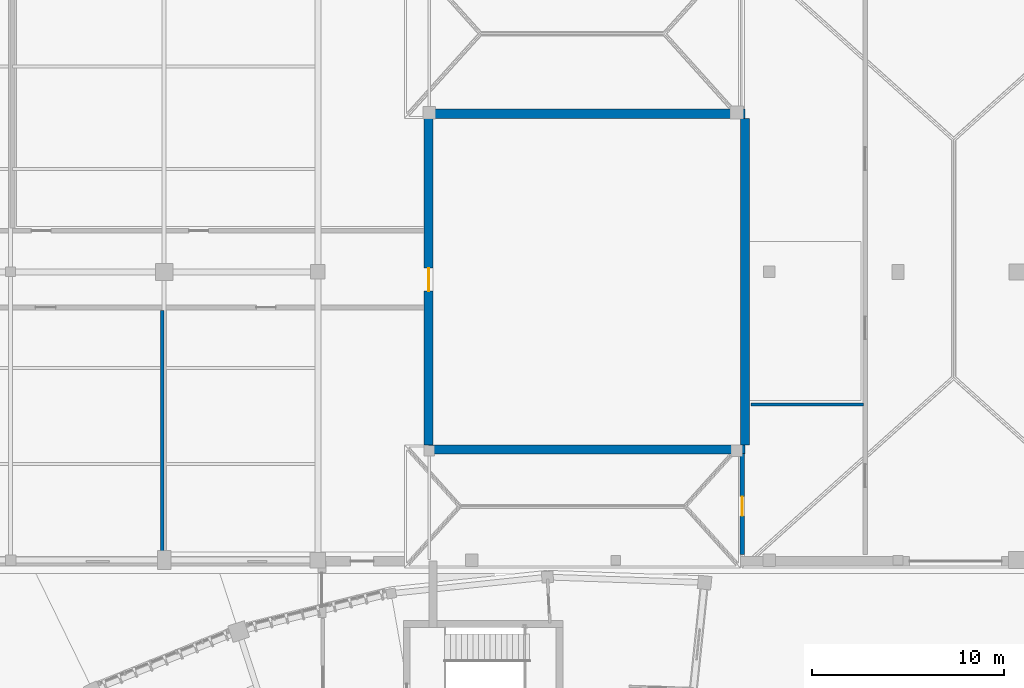
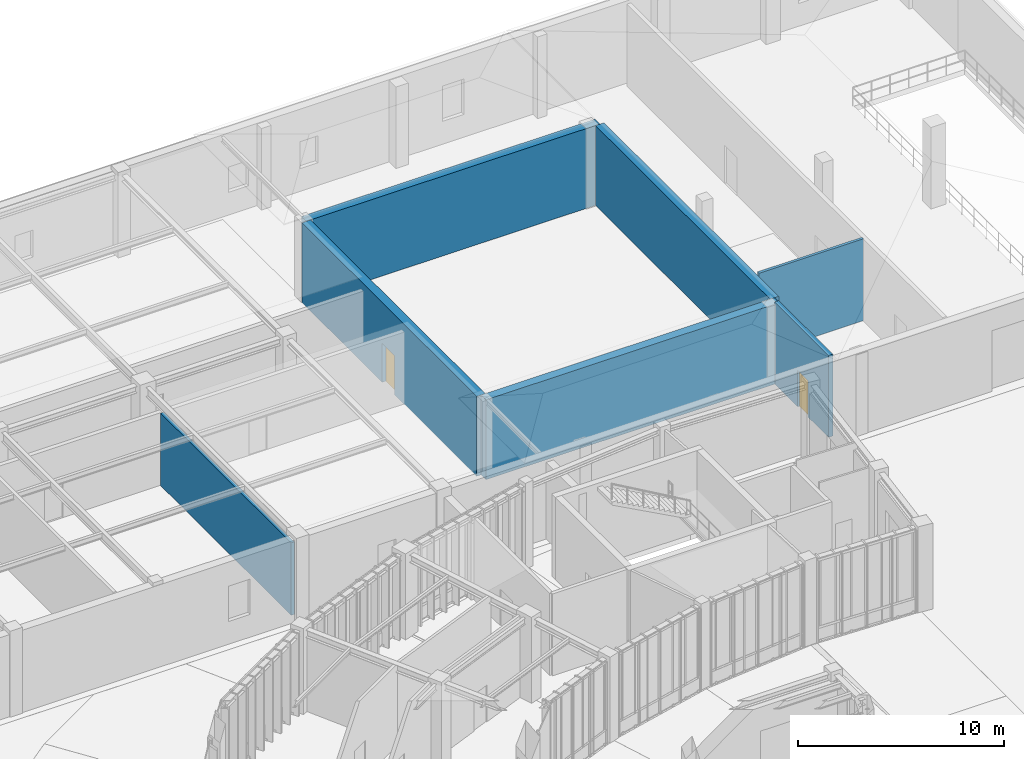
# One storey, part 46 of 68: 7 walls, 2 doors, 2 openings.
"""IFC4 building model written with IfcOpenShell, lengths in metres."""

import ifcopenshell
import ifcopenshell.guid

model = None  # the IFC model being written
_history = None  # IfcOwnerHistory: only IFC2X3 demands one
_inside = {}  # id of a spatial element -> (the spatial element, [elements in it])
_under = {}  # id of a project, library or spatial element -> (it, [spatial elements below it])
_declared = {}  # id of a project -> (the project, [libraries it declares])
_typed = {}  # id of a type object -> (the type object, [elements of that type])
_made_of = {}  # id of a material, layer set ... -> (it, [elements and type objects made of it])


def new_model(schema):
    """Start an empty IFC model of exactly this schema.

    Asked for "IFC4X3", IfcOpenShell would pick the latest addendum, in which some entities
    have other attributes; the version numbers below select the first issue.
    IFC2X3 requires an IfcOwnerHistory on every rooted entity: one is made here for all.
    """
    global model, _history
    if schema == "IFC4X3":
        model = ifcopenshell.file(schema_version=(4, 3, 0, 0))
    else:
        model = ifcopenshell.file(schema=schema)
    _inside.clear()
    _under.clear()
    _declared.clear()
    _typed.clear()
    _made_of.clear()
    _history = None
    if model.schema == "IFC2X3":
        org = make("IfcOrganization", Name="unknown")
        user = make(
            "IfcPersonAndOrganization",
            ThePerson=make("IfcPerson", FamilyName="unknown"),
            TheOrganization=org,
        )
        app = make(
            "IfcApplication",
            ApplicationDeveloper=org,
            Version="unknown",
            ApplicationFullName="unknown",
            ApplicationIdentifier="unknown",
        )
        _history = make(
            "IfcOwnerHistory",
            OwningUser=user,
            OwningApplication=app,
            ChangeAction="ADDED",
            CreationDate=0,
        )
    return model


def make(cls, **values):
    """One entity of the class cls with the attributes given. An attribute that is None is left unset."""
    return model.create_entity(
        cls, **{name: value for name, value in values.items() if value is not None}
    )


def rooted(cls, **values):
    """An entity with a GlobalId (a new one), such as an element, a storey or a relation."""
    return make(cls, GlobalId=ifcopenshell.guid.new(), OwnerHistory=_history, **values)


def si_unit(unit_type, name, prefix=None):
    """IfcSIUnit, for example si_unit("LENGTHUNIT", "METRE", prefix="MILLI")."""
    return make("IfcSIUnit", UnitType=unit_type, Prefix=prefix, Name=name)


def assignment(units):
    """IfcUnitAssignment: the units of a project."""
    return None if units is None else make("IfcUnitAssignment", Units=units)


def point(xyz):
    """IfcCartesianPoint."""
    return None if xyz is None else make("IfcCartesianPoint", Coordinates=xyz)


def direction(xyz):
    """IfcDirection."""
    return None if xyz is None else make("IfcDirection", DirectionRatios=xyz)


def frame(location, z_axis=None, x_axis=None):
    """IfcAxis2Placement3D, a coordinate frame: its origin and axes. An axis left out is left unset."""
    return make(
        "IfcAxis2Placement3D",
        Location=point(location),
        Axis=direction(z_axis),
        RefDirection=direction(x_axis),
    )


def frame_2d(location, x_axis=None):
    """IfcAxis2Placement2D, a coordinate frame in the plane: its origin and x axis."""
    return make(
        "IfcAxis2Placement2D", Location=point(location), RefDirection=direction(x_axis)
    )


def origin():
    """The frame at (0, 0, 0) with its axes left unset."""
    return frame((0.0, 0.0, 0.0))


def place(relative_to, where):
    """IfcLocalPlacement: puts the frame where relative to a parent placement (None: the world)."""
    return make(
        "IfcLocalPlacement", PlacementRelTo=relative_to, RelativePlacement=where
    )


def context(
    kind, dimensions, precision=None, world=None, true_north=None, identifier=None
):
    """IfcGeometricRepresentationContext, for example the 3D "Model" context."""
    return make(
        "IfcGeometricRepresentationContext",
        ContextIdentifier=identifier,
        ContextType=kind,
        CoordinateSpaceDimension=dimensions,
        Precision=precision,
        WorldCoordinateSystem=world,
        TrueNorth=true_north,
    )


def subcontext(parent, identifier, kind, view, scale=None):
    """IfcGeometricRepresentationSubContext, for example "Body" below "Model"."""
    return make(
        "IfcGeometricRepresentationSubContext",
        ContextIdentifier=identifier,
        ContextType=kind,
        ParentContext=parent,
        TargetScale=scale,
        TargetView=view,
    )


def project(units=None, contexts=None):
    """IfcProject with its units and contexts."""
    return rooted(
        "IfcProject",
        Name="project",
        RepresentationContexts=contexts,
        UnitsInContext=assignment(units),
    )


def spatial(cls, under=None, at=None, **own):
    """A site, building, storey or space (cls), placed at a placement, below another one or the project."""
    s = rooted(cls, ObjectPlacement=at, **own)
    if under is not None:
        _under.setdefault(under.id(), (under, []))[1].append(s)
    return s


def profile(cls, at=None, kind="AREA", **sizes):
    """A parametric profile (cls). Its sizes go by their IFC names, for example OverallWidth=200.0."""
    return make(cls, ProfileType=kind, Position=at, **sizes)


def rectangle(**sizes):
    """IfcRectangleProfileDef."""
    return profile("IfcRectangleProfileDef", **sizes)


def extrude(swept, where, along, depth):
    """IfcExtrudedAreaSolid: the profile swept, set in the frame where, extruded along a direction by depth."""
    return make(
        "IfcExtrudedAreaSolid",
        SweptArea=swept,
        Position=where,
        ExtrudedDirection=direction(along),
        Depth=depth,
    )


def shape(context_of_items, identifier, shape_type, items):
    """IfcShapeRepresentation: the items that make up one representation, for example the "Body"."""
    return make(
        "IfcShapeRepresentation",
        ContextOfItems=context_of_items,
        RepresentationIdentifier=identifier,
        RepresentationType=shape_type,
        Items=items,
    )


def material(Name=None, Category=None):
    """IfcMaterial."""
    return make("IfcMaterial", Name=Name, Category=Category)


def layer(
    of_material, thickness, ventilated=None, Name=None, Category=None, Priority=None
):
    """IfcMaterialLayer: one layer of a wall or slab, of a material (None: an air gap)."""
    return make(
        "IfcMaterialLayer",
        Material=of_material,
        LayerThickness=thickness,
        IsVentilated=ventilated,
        Name=Name,
        Category=Category,
        Priority=Priority,
    )


def layer_set(layers, Name=None):
    """IfcMaterialLayerSet."""
    return make("IfcMaterialLayerSet", MaterialLayers=layers, LayerSetName=Name)


def made_of(thing, what):
    """Note that an element or type object is made of a material, layer set ...; save() writes the relation."""
    if what is not None:
        _made_of.setdefault(what.id(), (what, []))[1].append(thing)
    return thing


def type_object(cls, material=None, **own):
    """A type object (cls), such as IfcWallType, which elements share."""
    return made_of(rooted(cls, **own), material)


def element(
    cls,
    number,
    at=None,
    inside=None,
    cuts=None,
    type_object=None,
    material=None,
    context=None,
    identifier="Body",
    shape_type=None,
    held_by="IfcProductDefinitionShape",
    body=None,
    shapes=None,
    **own,
):
    """One element of the class cls, such as IfcWall. Its Tag is "e" and its number.

    at: its placement. inside: the storey or other place that contains it. cuts: it is an
    opening in that element (IfcRelVoidsElement). A single representation is given by context,
    identifier, shape_type and body (its items); several are given by shapes. held_by: the class
    of the entity that holds the representations. save() writes the other relations.
    """
    e = rooted(cls, Tag="e%d" % number, ObjectPlacement=at, **own)
    if body is not None:
        shapes = [shape(context, identifier, shape_type, body)]
    if shapes is not None:
        e.Representation = make(held_by, Representations=shapes)
    if inside is not None:
        _inside.setdefault(inside.id(), (inside, []))[1].append(e)
    if cuts is not None:
        rooted(
            "IfcRelVoidsElement", RelatingBuildingElement=cuts, RelatedOpeningElement=e
        )
    if type_object is not None:
        _typed.setdefault(type_object.id(), (type_object, []))[1].append(e)
    return made_of(e, material)


def fill(opening, filler):
    """IfcRelFillsElement: the door or window that sits in an opening."""
    return rooted(
        "IfcRelFillsElement",
        RelatingOpeningElement=opening,
        RelatedBuildingElement=filler,
    )


def aggregate(whole, parts):
    """IfcRelAggregates: a whole, such as a stair, and the parts it consists of."""
    return rooted("IfcRelAggregates", RelatingObject=whole, RelatedObjects=parts)


def save(model, path):
    """Write the relations noted so far, then the file.

    IfcRelAggregates (storeys below a building ...), IfcRelContainedInSpatialStructure (elements
    in a storey), IfcRelDefinesByType, IfcRelAssociatesMaterial and IfcRelDeclares: one each for
    every whole, place, type object, material and project.
    """
    for whole, parts in _under.values():
        aggregate(whole, parts)
    for where, things in _inside.values():
        rooted(
            "IfcRelContainedInSpatialStructure",
            RelatedElements=things,
            RelatingStructure=where,
        )
    for kind, things in _typed.values():
        rooted("IfcRelDefinesByType", RelatedObjects=things, RelatingType=kind)
    for what, things in _made_of.values():
        rooted("IfcRelAssociatesMaterial", RelatedObjects=things, RelatingMaterial=what)
    for by, libraries in _declared.values():
        rooted("IfcRelDeclares", RelatingContext=by, RelatedDefinitions=libraries)
    model.write(path)


model = new_model("IFC4")

# Units and contexts
model_context = context("Model", 3, precision=1e-05, world=origin(), true_north=direction((0.0, 1.0)))
body_context = subcontext(model_context, "Body", "Model", "MODEL_VIEW")
ifc_project = project(units=[si_unit("LENGTHUNIT", "METRE"), si_unit("AREAUNIT", "SQUARE_METRE"), si_unit("VOLUMEUNIT", "CUBIC_METRE"), si_unit("PLANEANGLEUNIT", "RADIAN"), si_unit("MASSUNIT", "GRAM", prefix="KILO"), si_unit("THERMODYNAMICTEMPERATUREUNIT", "KELVIN"), si_unit("POWERUNIT", "WATT")], contexts=[model_context])

# Site, building, storey
site_placement = place(None, origin())
site = spatial("IfcSite", under=ifc_project, at=site_placement, CompositionType="ELEMENT")
building_placement = place(site_placement, origin())
building = spatial("IfcBuilding", under=site, at=building_placement, Name="Solvatero Civic Police Headquarters", CompositionType="ELEMENT")
storey_placement = place(building_placement, origin())
storey = spatial("IfcBuildingStorey", under=building, at=storey_placement, Name="L00", CompositionType="ELEMENT", Elevation=0.0)

# Wall, opening, door
ifc_material_1 = material(Name="Reinforced Masonry", Category="masonry")
ifc_layer_1 = layer(ifc_material_1, 0.239990234375)
ifc_layer_set_1 = layer_set([ifc_layer_1], Name="Reinforced Masonry")
wall_type_1 = type_object("IfcWallType", Name="WL-CELL-240", PredefinedType="PARTITIONING", material=ifc_layer_set_1)
wall_1_placement = place(storey_placement, frame((102.10009765625, 85.800048828125, 0.0), z_axis=(0.0, 0.0, 1.0), x_axis=(0.0, 1.0, 0.0)))
wall_1 = element("IfcWall", 1, at=wall_1_placement, inside=storey, type_object=wall_type_1, Name="Interior Partition WLP-L00-CPROP-W", PredefinedType="PARTITIONING", context=body_context, shape_type="SweptSolid", body=[
    extrude(rectangle(XDim=5.25, YDim=0.239990234375, at=frame_2d((2.625, 0.0))), origin(), (0.0, 0.0, 1.0), 4.860107421875),
])
opening_1_placement = place(wall_1_placement, frame((2.0, 0.0, 0.0)))
opening_1 = element("IfcOpeningElement", 2, at=opening_1_placement, cuts=wall_1, Name="Opening CD-01", PredefinedType="OPENING", context=body_context, shape_type="SweptSolid", body=[
    extrude(rectangle(XDim=1.0, YDim=2.14990234375, at=frame_2d((0.5, 1.074951171875))), frame((0.0, 0.1298828125, 0.0), z_axis=(0.0, -1.0, 0.0), x_axis=(1.0, 0.0, 0.0)), (0.0, 0.0, 1.0), 0.260009765625),
])
ifc_material_2 = material(Name="Powder-Coated Steel", Category="steel")
door_type_1 = type_object("IfcDoorType", Name="DR-CEL-100x215", OperationType="NOTDEFINED", PredefinedType="DOOR", material=ifc_material_2)
door_1_placement = place(opening_1_placement, origin())
door_1 = element("IfcDoor", 3, at=door_1_placement, inside=storey, type_object=door_type_1, Name="Interior Door DR-L00-CPROP2", OperationType="SINGLE_SWING_RIGHT", OverallHeight=2.14990234375, OverallWidth=1.0, PredefinedType="DOOR", context=body_context, shape_type="SweptSolid", body=[
    extrude(rectangle(XDim=1.0, YDim=2.14990234375, at=frame_2d((0.5, 1.074951171875))), frame((0.0, 0.02490234375, 0.0), z_axis=(0.0, -1.0, 0.0), x_axis=(1.0, 0.0, 0.0)), (0.0, 0.0, 1.0), 0.050048828125),
])
fill(opening_1, door_1)

# Walls
ifc_layer_2 = layer(ifc_material_1, 0.47998046875)
ifc_layer_set_2 = layer_set([ifc_layer_2], Name="Reinforced Masonry")
wall_type_2 = type_object("IfcWallType", Name="WL-EXT-CUST-480", PredefinedType="SOLIDWALL", material=ifc_layer_set_2)
for number, where, z_axis, x_axis, name in (
    (4, (85.760009765625, 91.260009765625, 0.0), (0.0, 0.0, 1.0), (1.0, 0.0, 0.0), "Exterior Wall WLE-L00-YARD-S"),
    (5, (85.760009765625, 108.739990234375, 0.0), (0.0, 0.0, 1.0), (1.0, 0.0, 0.0), "Exterior Wall WLE-L00-YARD-N"),
):
    element("IfcWall", number, at=place(storey_placement, frame(where, z_axis=z_axis, x_axis=x_axis)), inside=storey, type_object=wall_type_2, Name=name, PredefinedType="SOLIDWALL", context=body_context, shape_type="SweptSolid", body=[
        extrude(rectangle(XDim=16.47998046875, YDim=0.47998046875, at=frame_2d((8.239990234375, 0.0))), origin(), (0.0, 0.0, 1.0), 4.739990234375),
    ])

# Wall, opening, door
wall_2_placement = place(storey_placement, frame((85.760009765625, 91.5, 0.0), z_axis=(0.0, 0.0, 1.0), x_axis=(0.0, 1.0, 0.0)))
wall_2 = element("IfcWall", 6, at=wall_2_placement, inside=storey, type_object=wall_type_2, Name="Exterior Wall WLE-L00-YARD-W", PredefinedType="SOLIDWALL", context=body_context, shape_type="SweptSolid", body=[
    extrude(rectangle(XDim=17.0, YDim=0.47998046875, at=frame_2d((8.5, 0.0))), origin(), (0.0, 0.0, 1.0), 4.739990234375),
])
opening_2_placement = place(wall_2_placement, frame((9.199951171875, 0.0, 0.0), z_axis=(0.0, 0.0, 1.0), x_axis=(-1.0, 0.0, 0.0)))
opening_2 = element("IfcOpeningElement", 7, at=opening_2_placement, cuts=wall_2, Name="Opening ED-03", PredefinedType="OPENING", context=body_context, shape_type="SweptSolid", body=[
    extrude(rectangle(XDim=1.199951171875, YDim=2.300048828125, at=frame_2d((0.60009765625, 1.14990234375))), frame((0.0, 0.25, 0.0), z_axis=(0.0, -1.0, 0.0), x_axis=(1.0, 0.0, 0.0)), (0.0, 0.0, 1.0), 0.5),
])
ifc_material_3 = material(Name="Anodized Bronze Aluminium and Laminated Glass", Category="aluminium")
door_type_2 = type_object("IfcDoorType", Name="DR-EXT-120x230", OperationType="NOTDEFINED", PredefinedType="DOOR", material=ifc_material_3)
door_2_placement = place(opening_2_placement, origin())
door_2 = element("IfcDoor", 8, at=door_2_placement, inside=storey, type_object=door_type_2, Name="Exterior Door DR-L00-YARD-ACC", OperationType="SINGLE_SWING_LEFT", OverallHeight=2.300048828125, OverallWidth=1.199951171875, PredefinedType="DOOR", context=body_context, shape_type="SweptSolid", body=[
    extrude(rectangle(XDim=1.199951171875, YDim=2.300048828125, at=frame_2d((0.60009765625, 1.14990234375))), frame((0.0, 0.02490234375, 0.0), z_axis=(0.0, -1.0, 0.0), x_axis=(1.0, 0.0, 0.0)), (0.0, 0.0, 1.0), 0.050048828125),
])
fill(opening_2, door_2)

# Walls
wall_3_placement = place(storey_placement, frame((102.239990234375, 91.5, 0.0), z_axis=(0.0, 0.0, 1.0), x_axis=(0.0, 1.0, 0.0)))
element("IfcWall", 9, at=wall_3_placement, inside=storey, type_object=wall_type_2, Name="Exterior Wall WLE-L00-YARD-E", PredefinedType="SOLIDWALL", context=body_context, shape_type="SweptSolid", body=[
    extrude(rectangle(XDim=17.0, YDim=0.47998046875, at=frame_2d((8.5, 0.0))), origin(), (0.0, 0.0, 1.0), 4.739990234375),
])
ifc_material_4 = material(Name="Gypsum Acoustic Stud", Category="gypsum")
ifc_layer_3 = layer(ifc_material_4, 0.14990234375)
ifc_layer_set_3 = layer_set([ifc_layer_3], Name="Gypsum Acoustic Stud")
wall_type_3 = type_object("IfcWallType", Name="WL-PTN-150", PredefinedType="PARTITIONING", material=ifc_layer_set_3)
wall_4_placement = place(storey_placement, frame((102.550048828125, 93.60009765625, 0.0), z_axis=(0.0, 0.0, 1.0), x_axis=(1.0, 0.0, 0.0)))
element("IfcWall", 10, at=wall_4_placement, inside=storey, type_object=wall_type_3, Name="Interior Partition WLP-L00-CUSTWC-N", PredefinedType="PARTITIONING", context=body_context, shape_type="SweptSolid", body=[
    extrude(rectangle(XDim=5.849853515625, YDim=0.14990234375, at=frame_2d((2.9248046875, 0.0))), origin(), (0.0, 0.0, 1.0), 4.860107421875),
])
ifc_material_5 = material(Name="Concrete Blockwork", Category="masonry")
ifc_layer_4 = layer(ifc_material_5, 0.179931640625)
ifc_layer_set_4 = layer_set([ifc_layer_4], Name="Concrete Blockwork")
wall_type_4 = type_object("IfcWallType", Name="WL-PTN-180", PredefinedType="PARTITIONING", material=ifc_layer_set_4)
wall_5_placement = place(storey_placement, frame((71.89990234375, 85.800048828125, 0.0), z_axis=(0.0, 0.0, 1.0), x_axis=(0.0, 1.0, 0.0)))
element("IfcWall", 11, at=wall_5_placement, inside=storey, type_object=wall_type_4, Name="Interior Partition WLP-L00-CUST-M2", PredefinedType="PARTITIONING", context=body_context, shape_type="SweptSolid", body=[
    extrude(rectangle(XDim=12.699951171875, YDim=0.179931640625, at=frame_2d((6.35009765625, 0.0))), origin(), (0.0, 0.0, 1.0), 4.300048828125),
])

save(model, "model.ifc")
